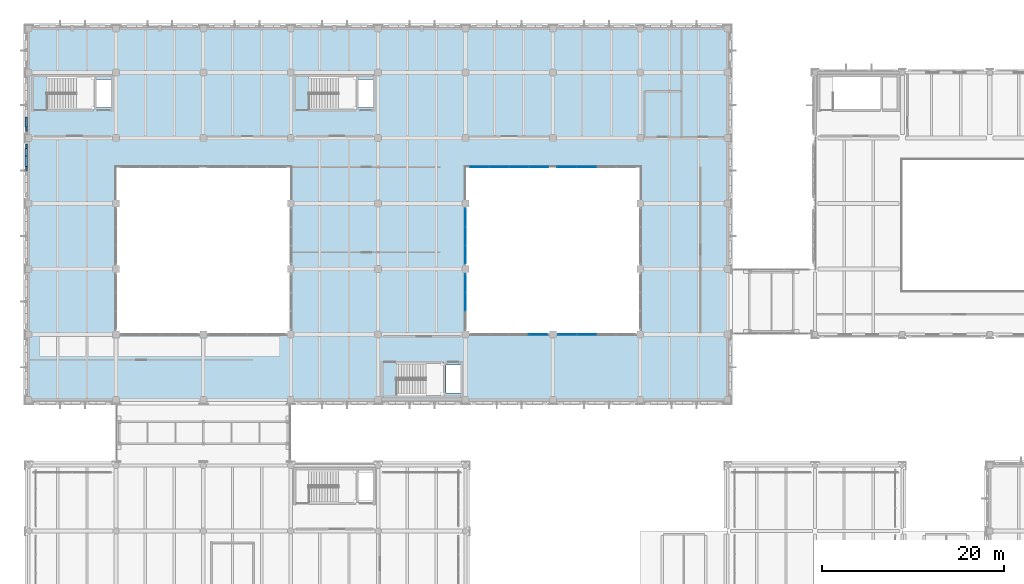
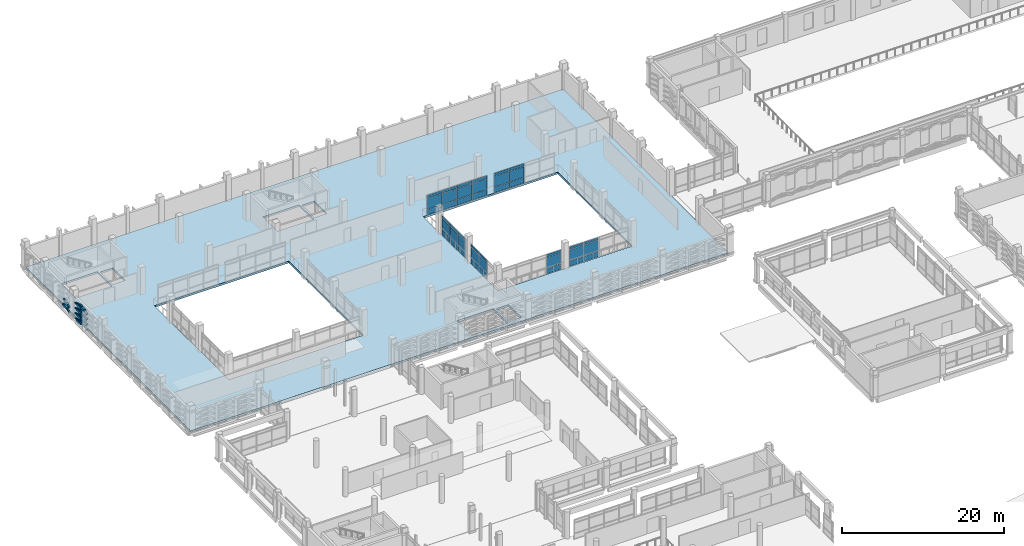
# One storey, part 134 of 180: 61 plates, 1 slab, 6 elements without a shape of their own.
"""IFC4 building model written with IfcOpenShell, lengths in metres."""

from ifc_helpers import new_model, si_unit, direction, frame, origin, origin_2d, place, context, subcontext, project, spatial, polyline, rectangle, hollow_rectangle, outline, extrude, material, layer, layer_set, material_profile, profile_set, type_object, element, aggregate, save


model = new_model("IFC4")

# Units and contexts
model_context = context("Model", 3, precision=1e-05, world=origin(), true_north=direction((0.0, 1.0)))
body_context = subcontext(model_context, "Body", "Model", "MODEL_VIEW")
ifc_project = project(units=[si_unit("LENGTHUNIT", "METRE"), si_unit("AREAUNIT", "SQUARE_METRE"), si_unit("VOLUMEUNIT", "CUBIC_METRE"), si_unit("PLANEANGLEUNIT", "RADIAN"), si_unit("MASSUNIT", "GRAM", prefix="KILO")], contexts=[model_context])

# Site, building, storey
site_placement = place(None, origin())
site = spatial("IfcSite", under=ifc_project, at=site_placement, CompositionType="ELEMENT")
building_placement = place(site_placement, origin())
building = spatial("IfcBuilding", under=site, at=building_placement, Name="Asteropetra Specialist Clinic", CompositionType="ELEMENT")
storey_placement = place(building_placement, frame((0.0, 0.0, 4.419921875)))
storey = spatial("IfcBuildingStorey", under=building, at=storey_placement, Name="L01", CompositionType="ELEMENT", Elevation=4.419921875)

# Plates
ifc_material_1 = material(Name="Chevron emerald aluminium 6063-T6", Category="aluminium")
ifc_material_profile = material_profile(ifc_material_1, hollow_rectangle(XDim=0.199951171875, YDim=0.199951171875, WallThickness=0.010009765625, InnerFilletRadius=0.008056640625, OuterFilletRadius=0.01611328125, at=origin_2d()), Name="SHS 200x200x10.0")
ifc_profile_set = profile_set([ifc_material_profile], Name="Chevron emerald aluminium 6063-T6")
plate_type_1 = type_object("IfcPlateType", Name="CHV-RIB-200", PredefinedType="SHEET", material=ifc_profile_set)
plate_1_placement = place(storey_placement, frame((-0.251953125, 97.68505859375, 0.050048828125), z_axis=(0.0, -0.952507040007, 0.304516565619), x_axis=(1.0, 0.0, 0.0)))
element("IfcPlate", 1, at=plate_1_placement, inside=storey, type_object=plate_type_1, Name="Chevron Facade Screen Fin CVR-0747", PredefinedType="SHEET", context=body_context, shape_type="SweptSolid", body=[
    extrude(hollow_rectangle(XDim=0.199951171875, YDim=0.199951171875, WallThickness=0.010009765625, InnerFilletRadius=0.008056640625, OuterFilletRadius=0.01611328125, at=origin_2d()), origin(), (0.0, 0.0, 1.0), 1.504150390625),
])
plate_2_placement = place(storey_placement, frame((-0.251953125, 96.25244140625, 0.508056640625), z_axis=(0.0, -0.952491984317, -0.304563654777), x_axis=(1.0, 0.0, 0.0)))
element("IfcPlate", 2, at=plate_2_placement, inside=storey, type_object=plate_type_1, Name="Chevron Facade Screen Fin CVR-0748", PredefinedType="SHEET", context=body_context, shape_type="SweptSolid", body=[
    extrude(hollow_rectangle(XDim=0.199951171875, YDim=0.199951171875, WallThickness=0.010009765625, InnerFilletRadius=0.008056640625, OuterFilletRadius=0.01611328125, at=origin_2d()), origin(), (0.0, 0.0, 1.0), 1.50390625),
])
plate_3_placement = place(storey_placement, frame((-0.251953125, 97.68505859375, 0.820068359375), z_axis=(0.0, -0.952507040007, 0.304516565619), x_axis=(1.0, 0.0, 0.0)))
element("IfcPlate", 3, at=plate_3_placement, inside=storey, type_object=plate_type_1, Name="Chevron Facade Screen Fin CVR-0749", PredefinedType="SHEET", context=body_context, shape_type="SweptSolid", body=[
    extrude(hollow_rectangle(XDim=0.199951171875, YDim=0.199951171875, WallThickness=0.010009765625, InnerFilletRadius=0.008056640625, OuterFilletRadius=0.01611328125, at=origin_2d()), origin(), (0.0, 0.0, 1.0), 1.504150390625),
])
plate_4_placement = place(storey_placement, frame((-0.251953125, 96.25244140625, 1.278076171875), z_axis=(0.0, -0.952491984317, -0.304563654777), x_axis=(1.0, 0.0, 0.0)))
element("IfcPlate", 4, at=plate_4_placement, inside=storey, type_object=plate_type_1, Name="Chevron Facade Screen Fin CVR-0750", PredefinedType="SHEET", context=body_context, shape_type="SweptSolid", body=[
    extrude(hollow_rectangle(XDim=0.199951171875, YDim=0.199951171875, WallThickness=0.010009765625, InnerFilletRadius=0.008056640625, OuterFilletRadius=0.01611328125, at=origin_2d()), origin(), (0.0, 0.0, 1.0), 1.50390625),
])
plate_5_placement = place(storey_placement, frame((-0.251953125, 97.68505859375, 1.6201171875), z_axis=(0.0, -0.952507040007, 0.304516565619), x_axis=(1.0, 0.0, 0.0)))
element("IfcPlate", 5, at=plate_5_placement, inside=storey, type_object=plate_type_1, Name="Chevron Facade Screen Fin CVR-0751", PredefinedType="SHEET", context=body_context, shape_type="SweptSolid", body=[
    extrude(hollow_rectangle(XDim=0.199951171875, YDim=0.199951171875, WallThickness=0.010009765625, InnerFilletRadius=0.008056640625, OuterFilletRadius=0.01611328125, at=origin_2d()), origin(), (0.0, 0.0, 1.0), 1.504150390625),
])
plate_6_placement = place(storey_placement, frame((-0.251953125, 96.25244140625, 2.078125), z_axis=(0.0, -0.952491984317, -0.304563654777), x_axis=(1.0, 0.0, 0.0)))
element("IfcPlate", 6, at=plate_6_placement, inside=storey, type_object=plate_type_1, Name="Chevron Facade Screen Fin CVR-0752", PredefinedType="SHEET", context=body_context, shape_type="SweptSolid", body=[
    extrude(hollow_rectangle(XDim=0.199951171875, YDim=0.199951171875, WallThickness=0.010009765625, InnerFilletRadius=0.008056640625, OuterFilletRadius=0.01611328125, at=origin_2d()), origin(), (0.0, 0.0, 1.0), 1.50390625),
])
plate_7_placement = place(storey_placement, frame((-0.251953125, 97.68505859375, 2.400146484375), z_axis=(0.0, -0.952507040007, 0.304516565619), x_axis=(1.0, 0.0, 0.0)))
element("IfcPlate", 7, at=plate_7_placement, inside=storey, type_object=plate_type_1, Name="Chevron Facade Screen Fin CVR-0753", PredefinedType="SHEET", context=body_context, shape_type="SweptSolid", body=[
    extrude(hollow_rectangle(XDim=0.199951171875, YDim=0.199951171875, WallThickness=0.010009765625, InnerFilletRadius=0.008056640625, OuterFilletRadius=0.01611328125, at=origin_2d()), origin(), (0.0, 0.0, 1.0), 1.504150390625),
])
plate_8_placement = place(storey_placement, frame((-0.251953125, 96.25244140625, 2.858154296875), z_axis=(0.0, -0.952491984317, -0.304563654777), x_axis=(1.0, 0.0, 0.0)))
element("IfcPlate", 8, at=plate_8_placement, inside=storey, type_object=plate_type_1, Name="Chevron Facade Screen Fin CVR-0754", PredefinedType="SHEET", context=body_context, shape_type="SweptSolid", body=[
    extrude(hollow_rectangle(XDim=0.199951171875, YDim=0.199951171875, WallThickness=0.010009765625, InnerFilletRadius=0.008056640625, OuterFilletRadius=0.01611328125, at=origin_2d()), origin(), (0.0, 0.0, 1.0), 1.50390625),
])
for number, where, z_axis, x_axis, name in (
    (9, (-0.251953125, 100.547607421875, 0.508056640625), (0.0, -0.952507040007, -0.304516565619), (1.0, 0.0, 0.0), "Chevron Facade Screen Fin CVR-0788"),
    (10, (-0.251953125, 100.547607421875, 1.278076171875), (0.0, -0.952507040007, -0.304516565619), (1.0, 0.0, 0.0), "Chevron Facade Screen Fin CVR-0790"),
):
    element("IfcPlate", number, at=place(storey_placement, frame(where, z_axis=z_axis, x_axis=x_axis)), inside=storey, type_object=plate_type_1, Name=name, PredefinedType="SHEET", context=body_context, shape_type="SweptSolid", body=[
        extrude(hollow_rectangle(XDim=0.199951171875, YDim=0.199951171875, WallThickness=0.010009765625, InnerFilletRadius=0.008056640625, OuterFilletRadius=0.01611328125, at=origin_2d()), origin(), (0.0, 0.0, 1.0), 1.504150390625),
    ])

# Curtain wall, plates
ifc_material_2 = material(Name="Aluminium and low-E glass", Category="aluminium")
ifc_layer_1 = layer(ifc_material_2, 0.14990234375)
ifc_layer_set_1 = layer_set([ifc_layer_1], Name="Aluminium and low-E glass")
curtain_wall_type_1 = type_object("IfcCurtainWallType", Name="CW-SYS-05", PredefinedType="USERDEFINED", material=ifc_layer_set_1)
curtain_wall_1_placement = place(storey_placement, origin())
curtain_wall_1 = element("IfcCurtainWall", 11, at=curtain_wall_1_placement, inside=storey, type_object=curtain_wall_type_1, Name="Curtain Wall CW-028", ObjectType="UNITISED CURTAIN WALL", PredefinedType="USERDEFINED")
ifc_material_3 = material(Name="Low-E double glazing", Category="glass")
ifc_layer_2 = layer(ifc_material_3, 0.028076171875)
ifc_layer_set_2 = layer_set([ifc_layer_2], Name="Low-E double glazing")
plate_type_2 = type_object("IfcPlateType", Name="CWP-GLZ-28", PredefinedType="CURTAIN_PANEL", material=ifc_layer_set_2)
plate_9_placement = place(storey_placement, frame((61.31005859375, 95.199951171875, 0.06494140625), z_axis=(0.0, 0.0, 1.0), x_axis=(-1.0, 0.0, 0.0)))
plate_9 = element("IfcPlate", 12, at=plate_9_placement, type_object=plate_type_2, Name="CW-028 panel 3.1", PredefinedType="CURTAIN_PANEL", context=body_context, shape_type="SweptSolid", body=[
    extrude(rectangle(XDim=2.114990234375, YDim=0.028076171875, at=origin_2d()), origin(), (0.0, 0.0, 1.0), 0.802490234375),
])
plate_10_placement = place(storey_placement, frame((61.31005859375, 95.199951171875, 0.9326171875), z_axis=(0.0, 0.0, 1.0), x_axis=(-1.0, 0.0, 0.0)))
plate_10 = element("IfcPlate", 13, at=plate_10_placement, type_object=plate_type_2, Name="CW-028 panel 3.2", PredefinedType="CURTAIN_PANEL", context=body_context, shape_type="SweptSolid", body=[
    extrude(rectangle(XDim=2.114990234375, YDim=0.028076171875, at=origin_2d()), origin(), (0.0, 0.0, 1.0), 1.614990234375),
])
plate_11_placement = place(storey_placement, frame((61.31005859375, 95.199951171875, 2.6123046875), z_axis=(0.0, 0.0, 1.0), x_axis=(-1.0, 0.0, 0.0)))
plate_11 = element("IfcPlate", 14, at=plate_11_placement, type_object=plate_type_2, Name="CW-028 panel 3.3", PredefinedType="CURTAIN_PANEL", context=body_context, shape_type="SweptSolid", body=[
    extrude(rectangle(XDim=2.114990234375, YDim=0.028076171875, at=origin_2d()), origin(), (0.0, 0.0, 1.0), 0.402587890625),
])
plate_12_placement = place(storey_placement, frame((59.146240234375, 95.199951171875, 0.06494140625), z_axis=(0.0, 0.0, 1.0), x_axis=(-1.0, 0.0, 0.0)))
plate_12 = element("IfcPlate", 15, at=plate_12_placement, type_object=plate_type_2, Name="CW-028 panel 4.1", PredefinedType="CURTAIN_PANEL", context=body_context, shape_type="SweptSolid", body=[
    extrude(rectangle(XDim=2.08251953125, YDim=0.028076171875, at=origin_2d()), origin(), (0.0, 0.0, 1.0), 0.802490234375),
])
plate_13_placement = place(storey_placement, frame((59.146240234375, 95.199951171875, 0.9326171875), z_axis=(0.0, 0.0, 1.0), x_axis=(-1.0, 0.0, 0.0)))
plate_13 = element("IfcPlate", 16, at=plate_13_placement, type_object=plate_type_2, Name="CW-028 panel 4.2", PredefinedType="CURTAIN_PANEL", context=body_context, shape_type="SweptSolid", body=[
    extrude(rectangle(XDim=2.08251953125, YDim=0.028076171875, at=origin_2d()), origin(), (0.0, 0.0, 1.0), 1.614990234375),
])
plate_14_placement = place(storey_placement, frame((59.146240234375, 95.199951171875, 2.6123046875), z_axis=(0.0, 0.0, 1.0), x_axis=(-1.0, 0.0, 0.0)))
plate_14 = element("IfcPlate", 17, at=plate_14_placement, type_object=plate_type_2, Name="CW-028 panel 4.3", PredefinedType="CURTAIN_PANEL", context=body_context, shape_type="SweptSolid", body=[
    extrude(rectangle(XDim=2.08251953125, YDim=0.028076171875, at=origin_2d()), origin(), (0.0, 0.0, 1.0), 0.402587890625),
])
aggregate(curtain_wall_1, [plate_9, plate_10, plate_11, plate_12, plate_13, plate_14])

ifc_material_4 = material(Name="Aluminium and low-E glass", Category="aluminium")
ifc_layer_3 = layer(ifc_material_4, 0.135009765625)
ifc_layer_set_3 = layer_set([ifc_layer_3], Name="Aluminium and low-E glass")
curtain_wall_type_2 = type_object("IfcCurtainWallType", Name="CW-SYS-03", PredefinedType="USERDEFINED", material=ifc_layer_set_3)
curtain_wall_2_placement = place(storey_placement, origin())
curtain_wall_2 = element("IfcCurtainWall", 18, at=curtain_wall_2_placement, inside=storey, type_object=curtain_wall_type_2, Name="Curtain Wall CW-025", ObjectType="UNITISED CURTAIN WALL", PredefinedType="USERDEFINED")
ifc_material_5 = material(Name="Low-E acoustic double glazing", Category="glass")
ifc_layer_4 = layer(ifc_material_5, 0.031982421875)
ifc_layer_set_4 = layer_set([ifc_layer_4], Name="Low-E acoustic double glazing")
plate_type_3 = type_object("IfcPlateType", Name="CWP-GLZ-32", PredefinedType="CURTAIN_PANEL", material=ifc_layer_set_4)
plate_15_placement = place(storey_placement, frame((55.982421875, 76.800048828125, 0.06494140625), z_axis=(0.0, 0.0, 1.0), x_axis=(1.0, 0.0, 0.0)))
plate_15 = element("IfcPlate", 19, at=plate_15_placement, type_object=plate_type_3, Name="CW-025 panel 4.1", PredefinedType="CURTAIN_PANEL", context=body_context, shape_type="SweptSolid", body=[
    extrude(rectangle(XDim=2.034912109375, YDim=0.031982421875, at=origin_2d()), origin(), (0.0, 0.0, 1.0), 0.802490234375),
])
plate_16_placement = place(storey_placement, frame((55.982421875, 76.800048828125, 0.9326171875), z_axis=(0.0, 0.0, 1.0), x_axis=(1.0, 0.0, 0.0)))
plate_16 = element("IfcPlate", 20, at=plate_16_placement, type_object=plate_type_3, Name="CW-025 panel 4.2", PredefinedType="CURTAIN_PANEL", context=body_context, shape_type="SweptSolid", body=[
    extrude(rectangle(XDim=2.034912109375, YDim=0.031982421875, at=origin_2d()), origin(), (0.0, 0.0, 1.0), 1.614990234375),
])
plate_17_placement = place(storey_placement, frame((55.982421875, 76.800048828125, 2.6123046875), z_axis=(0.0, 0.0, 1.0), x_axis=(1.0, 0.0, 0.0)))
plate_17 = element("IfcPlate", 21, at=plate_17_placement, type_object=plate_type_3, Name="CW-025 panel 4.3", PredefinedType="CURTAIN_PANEL", context=body_context, shape_type="SweptSolid", body=[
    extrude(rectangle(XDim=2.034912109375, YDim=0.031982421875, at=origin_2d()), origin(), (0.0, 0.0, 1.0), 0.402587890625),
])
aggregate(curtain_wall_2, [plate_15, plate_16, plate_17])

curtain_wall_3_placement = place(storey_placement, origin())
curtain_wall_3 = element("IfcCurtainWall", 22, at=curtain_wall_3_placement, inside=storey, type_object=curtain_wall_type_1, Name="Curtain Wall CW-029", ObjectType="UNITISED CURTAIN WALL", PredefinedType="USERDEFINED")
plate_18_placement = place(storey_placement, frame((48.0, 82.42822265625, 0.06005859375), z_axis=(0.0, 0.0, 1.0), x_axis=(0.0, -1.0, 0.0)))
plate_18 = element("IfcPlate", 23, at=plate_18_placement, type_object=plate_type_3, Name="CW-029 panel 1.1", PredefinedType="CURTAIN_PANEL", context=body_context, shape_type="SweptSolid", body=[
    extrude(rectangle(XDim=1.953369140625, YDim=0.031982421875, at=origin_2d()), origin(), (0.0, 0.0, 1.0), 0.81005859375),
])
plate_19_placement = place(storey_placement, frame((48.0, 82.42822265625, 0.93017578125), z_axis=(0.0, 0.0, 1.0), x_axis=(0.0, -1.0, 0.0)))
plate_19 = element("IfcPlate", 24, at=plate_19_placement, type_object=plate_type_3, Name="CW-029 panel 1.2", PredefinedType="CURTAIN_PANEL", context=body_context, shape_type="SweptSolid", body=[
    extrude(rectangle(XDim=1.953369140625, YDim=0.031982421875, at=origin_2d()), origin(), (0.0, 0.0, 1.0), 1.590087890625),
])
plate_20_placement = place(storey_placement, frame((48.0, 82.42822265625, 2.580078125), z_axis=(0.0, 0.0, 1.0), x_axis=(0.0, -1.0, 0.0)))
plate_20 = element("IfcPlate", 25, at=plate_20_placement, type_object=plate_type_3, Name="CW-029 panel 1.3", PredefinedType="CURTAIN_PANEL", context=body_context, shape_type="SweptSolid", body=[
    extrude(rectangle(XDim=1.953369140625, YDim=0.031982421875, at=origin_2d()), origin(), (0.0, 0.0, 1.0), 0.409912109375),
])
plate_21_placement = place(storey_placement, frame((48.0, 80.39990234375, 0.06005859375), z_axis=(0.0, 0.0, 1.0), x_axis=(0.0, -1.0, 0.0)))
plate_21 = element("IfcPlate", 26, at=plate_21_placement, type_object=plate_type_3, Name="CW-029 panel 2.1", PredefinedType="CURTAIN_PANEL", context=body_context, shape_type="SweptSolid", body=[
    extrude(rectangle(XDim=1.9833984375, YDim=0.031982421875, at=origin_2d()), origin(), (0.0, 0.0, 1.0), 0.81005859375),
])
plate_22_placement = place(storey_placement, frame((48.0, 80.39990234375, 0.93017578125), z_axis=(0.0, 0.0, 1.0), x_axis=(0.0, -1.0, 0.0)))
plate_22 = element("IfcPlate", 27, at=plate_22_placement, type_object=plate_type_3, Name="CW-029 panel 2.2", PredefinedType="CURTAIN_PANEL", context=body_context, shape_type="SweptSolid", body=[
    extrude(rectangle(XDim=1.9833984375, YDim=0.031982421875, at=origin_2d()), origin(), (0.0, 0.0, 1.0), 1.590087890625),
])
plate_23_placement = place(storey_placement, frame((48.0, 80.39990234375, 2.580078125), z_axis=(0.0, 0.0, 1.0), x_axis=(0.0, -1.0, 0.0)))
plate_23 = element("IfcPlate", 28, at=plate_23_placement, type_object=plate_type_3, Name="CW-029 panel 2.3", PredefinedType="CURTAIN_PANEL", context=body_context, shape_type="SweptSolid", body=[
    extrude(rectangle(XDim=1.9833984375, YDim=0.031982421875, at=origin_2d()), origin(), (0.0, 0.0, 1.0), 0.409912109375),
])
aggregate(curtain_wall_3, [plate_18, plate_19, plate_20, plate_21, plate_22, plate_23])

ifc_material_6 = material(Name="Aluminium and low-E glass", Category="aluminium")
ifc_layer_5 = layer(ifc_material_6, 0.179931640625)
ifc_layer_set_5 = layer_set([ifc_layer_5], Name="Aluminium and low-E glass")
curtain_wall_type_3 = type_object("IfcCurtainWallType", Name="CW-SYS-04", PredefinedType="USERDEFINED", material=ifc_layer_set_5)
curtain_wall_4_placement = place(storey_placement, origin())
curtain_wall_4 = element("IfcCurtainWall", 29, at=curtain_wall_4_placement, inside=storey, type_object=curtain_wall_type_3, Name="Curtain Wall CW-026", ObjectType="UNITISED CURTAIN WALL", PredefinedType="USERDEFINED")
ifc_material_7 = material(Name="Solar-control triple glazing", Category="glass")
ifc_layer_6 = layer(ifc_material_7, 0.035888671875)
ifc_layer_set_6 = layer_set([ifc_layer_6], Name="Solar-control triple glazing")
plate_type_4 = type_object("IfcPlateType", Name="CWP-GLZ-36", PredefinedType="CURTAIN_PANEL", material=ifc_layer_set_6)
plate_24_placement = place(storey_placement, frame((56.054931640625, 95.199951171875, 0.06005859375), z_axis=(0.0, 0.0, 1.0), x_axis=(-1.0, 0.0, 0.0)))
plate_24 = element("IfcPlate", 30, at=plate_24_placement, type_object=plate_type_4, Name="CW-026 panel 1.1", PredefinedType="CURTAIN_PANEL", context=body_context, shape_type="SweptSolid", body=[
    extrude(rectangle(XDim=2.090087890625, YDim=0.035888671875, at=origin_2d()), origin(), (0.0, 0.0, 1.0), 0.81005859375),
])
plate_25_placement = place(storey_placement, frame((56.054931640625, 95.199951171875, 0.929931640625), z_axis=(0.0, 0.0, 1.0), x_axis=(-1.0, 0.0, 0.0)))
plate_25 = element("IfcPlate", 31, at=plate_25_placement, type_object=plate_type_4, Name="CW-026 panel 1.2", PredefinedType="CURTAIN_PANEL", context=body_context, shape_type="SweptSolid", body=[
    extrude(rectangle(XDim=2.090087890625, YDim=0.035888671875, at=origin_2d()), origin(), (0.0, 0.0, 1.0), 1.6201171875),
])
plate_26_placement = place(storey_placement, frame((56.054931640625, 95.199951171875, 2.6103515625), z_axis=(0.0, 0.0, 1.0), x_axis=(-1.0, 0.0, 0.0)))
plate_26 = element("IfcPlate", 32, at=plate_26_placement, type_object=plate_type_4, Name="CW-026 panel 1.3", PredefinedType="CURTAIN_PANEL", context=body_context, shape_type="SweptSolid", body=[
    extrude(rectangle(XDim=2.090087890625, YDim=0.035888671875, at=origin_2d()), origin(), (0.0, 0.0, 1.0), 0.409912109375),
])
plate_27_placement = place(storey_placement, frame((53.889892578125, 95.199951171875, 0.06005859375), z_axis=(0.0, 0.0, 1.0), x_axis=(-1.0, 0.0, 0.0)))
plate_27 = element("IfcPlate", 33, at=plate_27_placement, type_object=plate_type_4, Name="CW-026 panel 2.1", PredefinedType="CURTAIN_PANEL", context=body_context, shape_type="SweptSolid", body=[
    extrude(rectangle(XDim=2.1201171875, YDim=0.035888671875, at=origin_2d()), origin(), (0.0, 0.0, 1.0), 0.81005859375),
])
plate_28_placement = place(storey_placement, frame((53.889892578125, 95.199951171875, 0.929931640625), z_axis=(0.0, 0.0, 1.0), x_axis=(-1.0, 0.0, 0.0)))
plate_28 = element("IfcPlate", 34, at=plate_28_placement, type_object=plate_type_4, Name="CW-026 panel 2.2", PredefinedType="CURTAIN_PANEL", context=body_context, shape_type="SweptSolid", body=[
    extrude(rectangle(XDim=2.1201171875, YDim=0.035888671875, at=origin_2d()), origin(), (0.0, 0.0, 1.0), 1.6201171875),
])
plate_29_placement = place(storey_placement, frame((53.889892578125, 95.199951171875, 2.6103515625), z_axis=(0.0, 0.0, 1.0), x_axis=(-1.0, 0.0, 0.0)))
plate_29 = element("IfcPlate", 35, at=plate_29_placement, type_object=plate_type_4, Name="CW-026 panel 2.3", PredefinedType="CURTAIN_PANEL", context=body_context, shape_type="SweptSolid", body=[
    extrude(rectangle(XDim=2.1201171875, YDim=0.035888671875, at=origin_2d()), origin(), (0.0, 0.0, 1.0), 0.409912109375),
])
plate_30_placement = place(storey_placement, frame((51.7099609375, 95.199951171875, 0.06005859375), z_axis=(0.0, 0.0, 1.0), x_axis=(-1.0, 0.0, 0.0)))
plate_30 = element("IfcPlate", 36, at=plate_30_placement, type_object=plate_type_4, Name="CW-026 panel 3.1", PredefinedType="CURTAIN_PANEL", context=body_context, shape_type="SweptSolid", body=[
    extrude(rectangle(XDim=2.1201171875, YDim=0.035888671875, at=origin_2d()), origin(), (0.0, 0.0, 1.0), 0.81005859375),
])
plate_31_placement = place(storey_placement, frame((51.7099609375, 95.199951171875, 0.929931640625), z_axis=(0.0, 0.0, 1.0), x_axis=(-1.0, 0.0, 0.0)))
plate_31 = element("IfcPlate", 37, at=plate_31_placement, type_object=plate_type_4, Name="CW-026 panel 3.2", PredefinedType="CURTAIN_PANEL", context=body_context, shape_type="SweptSolid", body=[
    extrude(rectangle(XDim=2.1201171875, YDim=0.035888671875, at=origin_2d()), origin(), (0.0, 0.0, 1.0), 1.6201171875),
])
plate_32_placement = place(storey_placement, frame((51.7099609375, 95.199951171875, 2.6103515625), z_axis=(0.0, 0.0, 1.0), x_axis=(-1.0, 0.0, 0.0)))
plate_32 = element("IfcPlate", 38, at=plate_32_placement, type_object=plate_type_4, Name="CW-026 panel 3.3", PredefinedType="CURTAIN_PANEL", context=body_context, shape_type="SweptSolid", body=[
    extrude(rectangle(XDim=2.1201171875, YDim=0.035888671875, at=origin_2d()), origin(), (0.0, 0.0, 1.0), 0.409912109375),
])
plate_33_placement = place(storey_placement, frame((49.544921875, 95.199951171875, 0.06005859375), z_axis=(0.0, 0.0, 1.0), x_axis=(-1.0, 0.0, 0.0)))
plate_33 = element("IfcPlate", 39, at=plate_33_placement, type_object=plate_type_4, Name="CW-026 panel 4.1", PredefinedType="CURTAIN_PANEL", context=body_context, shape_type="SweptSolid", body=[
    extrude(rectangle(XDim=2.090087890625, YDim=0.035888671875, at=origin_2d()), origin(), (0.0, 0.0, 1.0), 0.81005859375),
])
plate_34_placement = place(storey_placement, frame((49.544921875, 95.199951171875, 0.929931640625), z_axis=(0.0, 0.0, 1.0), x_axis=(-1.0, 0.0, 0.0)))
plate_34 = element("IfcPlate", 40, at=plate_34_placement, type_object=plate_type_4, Name="CW-026 panel 4.2", PredefinedType="CURTAIN_PANEL", context=body_context, shape_type="SweptSolid", body=[
    extrude(rectangle(XDim=2.090087890625, YDim=0.035888671875, at=origin_2d()), origin(), (0.0, 0.0, 1.0), 1.6201171875),
])
plate_35_placement = place(storey_placement, frame((49.544921875, 95.199951171875, 2.6103515625), z_axis=(0.0, 0.0, 1.0), x_axis=(-1.0, 0.0, 0.0)))
plate_35 = element("IfcPlate", 41, at=plate_35_placement, type_object=plate_type_4, Name="CW-026 panel 4.3", PredefinedType="CURTAIN_PANEL", context=body_context, shape_type="SweptSolid", body=[
    extrude(rectangle(XDim=2.090087890625, YDim=0.035888671875, at=origin_2d()), origin(), (0.0, 0.0, 1.0), 0.409912109375),
])
aggregate(curtain_wall_4, [plate_24, plate_25, plate_26, plate_27, plate_28, plate_29, plate_30, plate_31, plate_32, plate_33, plate_34, plate_35])

curtain_wall_5_placement = place(storey_placement, origin())
curtain_wall_5 = element("IfcCurtainWall", 42, at=curtain_wall_5_placement, inside=storey, type_object=curtain_wall_type_3, Name="Curtain Wall CW-027", ObjectType="UNITISED CURTAIN WALL", PredefinedType="USERDEFINED")
ifc_material_8 = material(Name="Laminated skylight glazing", Category="glass")
ifc_layer_7 = layer(ifc_material_8, 0.0400390625)
ifc_layer_set_7 = layer_set([ifc_layer_7], Name="Laminated skylight glazing")
plate_type_5 = type_object("IfcPlateType", Name="CWP-GLZ-40", PredefinedType="CURTAIN_PANEL", material=ifc_layer_set_7)
plate_36_placement = place(storey_placement, frame((59.219970703125, 76.800048828125, 0.074951171875), z_axis=(0.0, 0.0, 1.0), x_axis=(1.0, 0.0, 0.0)))
plate_36 = element("IfcPlate", 43, at=plate_36_placement, type_object=plate_type_5, Name="CW-027 panel 1.1", PredefinedType="CURTAIN_PANEL", context=body_context, shape_type="SweptSolid", body=[
    extrude(rectangle(XDim=2.02001953125, YDim=0.0400390625, at=origin_2d()), origin(), (0.0, 0.0, 1.0), 0.78759765625),
])
plate_37_placement = place(storey_placement, frame((59.219970703125, 76.800048828125, 0.9375), z_axis=(0.0, 0.0, 1.0), x_axis=(1.0, 0.0, 0.0)))
plate_37 = element("IfcPlate", 44, at=plate_37_placement, type_object=plate_type_5, Name="CW-027 panel 1.2", PredefinedType="CURTAIN_PANEL", context=body_context, shape_type="SweptSolid", body=[
    extrude(rectangle(XDim=2.02001953125, YDim=0.0400390625, at=origin_2d()), origin(), (0.0, 0.0, 1.0), 1.60498046875),
])
plate_38_placement = place(storey_placement, frame((59.219970703125, 76.800048828125, 2.61767578125), z_axis=(0.0, 0.0, 1.0), x_axis=(1.0, 0.0, 0.0)))
plate_38 = element("IfcPlate", 45, at=plate_38_placement, type_object=plate_type_5, Name="CW-027 panel 1.3", PredefinedType="CURTAIN_PANEL", context=body_context, shape_type="SweptSolid", body=[
    extrude(rectangle(XDim=2.02001953125, YDim=0.0400390625, at=origin_2d()), origin(), (0.0, 0.0, 1.0), 0.387451171875),
])
plate_39_placement = place(storey_placement, frame((61.333740234375, 76.800048828125, 0.074951171875), z_axis=(0.0, 0.0, 1.0), x_axis=(1.0, 0.0, 0.0)))
plate_39 = element("IfcPlate", 46, at=plate_39_placement, type_object=plate_type_5, Name="CW-027 panel 2.1", PredefinedType="CURTAIN_PANEL", context=body_context, shape_type="SweptSolid", body=[
    extrude(rectangle(XDim=2.0576171875, YDim=0.0400390625, at=origin_2d()), origin(), (0.0, 0.0, 1.0), 0.78759765625),
])
plate_40_placement = place(storey_placement, frame((61.333740234375, 76.800048828125, 0.9375), z_axis=(0.0, 0.0, 1.0), x_axis=(1.0, 0.0, 0.0)))
plate_40 = element("IfcPlate", 47, at=plate_40_placement, type_object=plate_type_5, Name="CW-027 panel 2.2", PredefinedType="CURTAIN_PANEL", context=body_context, shape_type="SweptSolid", body=[
    extrude(rectangle(XDim=2.0576171875, YDim=0.0400390625, at=origin_2d()), origin(), (0.0, 0.0, 1.0), 1.60498046875),
])
plate_41_placement = place(storey_placement, frame((61.333740234375, 76.800048828125, 2.61767578125), z_axis=(0.0, 0.0, 1.0), x_axis=(1.0, 0.0, 0.0)))
plate_41 = element("IfcPlate", 48, at=plate_41_placement, type_object=plate_type_5, Name="CW-027 panel 2.3", PredefinedType="CURTAIN_PANEL", context=body_context, shape_type="SweptSolid", body=[
    extrude(rectangle(XDim=2.0576171875, YDim=0.0400390625, at=origin_2d()), origin(), (0.0, 0.0, 1.0), 0.387451171875),
])
aggregate(curtain_wall_5, [plate_36, plate_37, plate_38, plate_39, plate_40, plate_41])

ifc_material_9 = material(Name="Aluminium and low-E glass", Category="aluminium")
ifc_layer_8 = layer(ifc_material_9, 0.135009765625)
ifc_layer_set_8 = layer_set([ifc_layer_8], Name="Aluminium and low-E glass")
curtain_wall_type_4 = type_object("IfcCurtainWallType", Name="CW-SYS-06", PredefinedType="USERDEFINED", material=ifc_layer_set_8)
curtain_wall_6_placement = place(storey_placement, origin())
curtain_wall_6 = element("IfcCurtainWall", 49, at=curtain_wall_6_placement, inside=storey, type_object=curtain_wall_type_4, Name="Curtain Wall CW-031", ObjectType="UNITISED CURTAIN WALL", PredefinedType="USERDEFINED")
plate_42_placement = place(storey_placement, frame((48.0, 89.627197265625, 0.06494140625), z_axis=(0.0, 0.0, 1.0), x_axis=(0.0, -1.0, 0.0)))
plate_42 = element("IfcPlate", 50, at=plate_42_placement, type_object=plate_type_5, Name="CW-031 panel 1.1", PredefinedType="CURTAIN_PANEL", context=body_context, shape_type="SweptSolid", body=[
    extrude(rectangle(XDim=1.94580078125, YDim=0.0400390625, at=origin_2d()), origin(), (0.0, 0.0, 1.0), 0.802490234375),
])
plate_43_placement = place(storey_placement, frame((48.0, 89.627197265625, 0.9326171875), z_axis=(0.0, 0.0, 1.0), x_axis=(0.0, -1.0, 0.0)))
plate_43 = element("IfcPlate", 51, at=plate_43_placement, type_object=plate_type_5, Name="CW-031 panel 1.2", PredefinedType="CURTAIN_PANEL", context=body_context, shape_type="SweptSolid", body=[
    extrude(rectangle(XDim=1.94580078125, YDim=0.0400390625, at=origin_2d()), origin(), (0.0, 0.0, 1.0), 1.5849609375),
])
plate_44_placement = place(storey_placement, frame((48.0, 89.627197265625, 2.58251953125), z_axis=(0.0, 0.0, 1.0), x_axis=(0.0, -1.0, 0.0)))
plate_44 = element("IfcPlate", 52, at=plate_44_placement, type_object=plate_type_5, Name="CW-031 panel 1.3", PredefinedType="CURTAIN_PANEL", context=body_context, shape_type="SweptSolid", body=[
    extrude(rectangle(XDim=1.94580078125, YDim=0.0400390625, at=origin_2d()), origin(), (0.0, 0.0, 1.0), 0.402587890625),
])
plate_45_placement = place(storey_placement, frame((48.0, 87.60009765625, 0.06494140625), z_axis=(0.0, 0.0, 1.0), x_axis=(0.0, -1.0, 0.0)))
plate_45 = element("IfcPlate", 53, at=plate_45_placement, type_object=plate_type_5, Name="CW-031 panel 2.1", PredefinedType="CURTAIN_PANEL", context=body_context, shape_type="SweptSolid", body=[
    extrude(rectangle(XDim=1.978271484375, YDim=0.0400390625, at=origin_2d()), origin(), (0.0, 0.0, 1.0), 0.802490234375),
])
plate_46_placement = place(storey_placement, frame((48.0, 87.60009765625, 0.9326171875), z_axis=(0.0, 0.0, 1.0), x_axis=(0.0, -1.0, 0.0)))
plate_46 = element("IfcPlate", 54, at=plate_46_placement, type_object=plate_type_5, Name="CW-031 panel 2.2", PredefinedType="CURTAIN_PANEL", context=body_context, shape_type="SweptSolid", body=[
    extrude(rectangle(XDim=1.978271484375, YDim=0.0400390625, at=origin_2d()), origin(), (0.0, 0.0, 1.0), 1.5849609375),
])
plate_47_placement = place(storey_placement, frame((48.0, 87.60009765625, 2.58251953125), z_axis=(0.0, 0.0, 1.0), x_axis=(0.0, -1.0, 0.0)))
plate_47 = element("IfcPlate", 55, at=plate_47_placement, type_object=plate_type_5, Name="CW-031 panel 2.3", PredefinedType="CURTAIN_PANEL", context=body_context, shape_type="SweptSolid", body=[
    extrude(rectangle(XDim=1.978271484375, YDim=0.0400390625, at=origin_2d()), origin(), (0.0, 0.0, 1.0), 0.402587890625),
])
plate_48_placement = place(storey_placement, frame((48.0, 85.572998046875, 0.06494140625), z_axis=(0.0, 0.0, 1.0), x_axis=(0.0, -1.0, 0.0)))
plate_48 = element("IfcPlate", 56, at=plate_48_placement, type_object=plate_type_5, Name="CW-031 panel 3.1", PredefinedType="CURTAIN_PANEL", context=body_context, shape_type="SweptSolid", body=[
    extrude(rectangle(XDim=1.94580078125, YDim=0.0400390625, at=origin_2d()), origin(), (0.0, 0.0, 1.0), 0.802490234375),
])
plate_49_placement = place(storey_placement, frame((48.0, 85.572998046875, 0.9326171875), z_axis=(0.0, 0.0, 1.0), x_axis=(0.0, -1.0, 0.0)))
plate_49 = element("IfcPlate", 57, at=plate_49_placement, type_object=plate_type_5, Name="CW-031 panel 3.2", PredefinedType="CURTAIN_PANEL", context=body_context, shape_type="SweptSolid", body=[
    extrude(rectangle(XDim=1.94580078125, YDim=0.0400390625, at=origin_2d()), origin(), (0.0, 0.0, 1.0), 1.5849609375),
])
plate_50_placement = place(storey_placement, frame((48.0, 85.572998046875, 2.58251953125), z_axis=(0.0, 0.0, 1.0), x_axis=(0.0, -1.0, 0.0)))
plate_50 = element("IfcPlate", 58, at=plate_50_placement, type_object=plate_type_5, Name="CW-031 panel 3.3", PredefinedType="CURTAIN_PANEL", context=body_context, shape_type="SweptSolid", body=[
    extrude(rectangle(XDim=1.94580078125, YDim=0.0400390625, at=origin_2d()), origin(), (0.0, 0.0, 1.0), 0.402587890625),
])
aggregate(curtain_wall_6, [plate_42, plate_43, plate_44, plate_45, plate_46, plate_47, plate_48, plate_49, plate_50])

# Plates
ifc_material_10 = material(Name="Aluminium 6063-T6", Category="aluminium")
ifc_layer_9 = layer(ifc_material_10, 0.139892578125)
ifc_layer_set_9 = layer_set([ifc_layer_9], Name="Aluminium 6063-T6")
plate_type_6 = type_object("IfcPlateType", Name="PLT-CHV-TILE", PredefinedType="SHEET", material=ifc_layer_set_9)
for number, where, z_axis, x_axis, name in (
    (59, (-0.2900390625, 96.653564453125, 0.03759765625), (0.0, 0.0, 1.0), (1.0, 0.0, 0.0), "Chevron Ceramic Panel CPT-0385"),
    (60, (-0.2900390625, 95.851318359375, 0.21142578125), (0.0, 0.0, 1.0), (1.0, 0.0, 0.0), "Chevron Ceramic Panel CPT-0386"),
    (61, (-0.2900390625, 96.653564453125, 0.8076171875), (0.0, 0.0, 1.0), (1.0, 0.0, 0.0), "Chevron Ceramic Panel CPT-0387"),
    (62, (-0.2900390625, 95.851318359375, 0.9814453125), (0.0, 0.0, 1.0), (1.0, 0.0, 0.0), "Chevron Ceramic Panel CPT-0388"),
    (63, (-0.2900390625, 96.653564453125, 1.607421875), (0.0, 0.0, 1.0), (1.0, 0.0, 0.0), "Chevron Ceramic Panel CPT-0389"),
    (64, (-0.2900390625, 95.851318359375, 1.78125), (0.0, 0.0, 1.0), (1.0, 0.0, 0.0), "Chevron Ceramic Panel CPT-0390"),
    (65, (-0.2900390625, 96.653564453125, 2.3876953125), (0.0, 0.0, 1.0), (1.0, 0.0, 0.0), "Chevron Ceramic Panel CPT-0391"),
    (66, (-0.2900390625, 95.851318359375, 2.5615234375), (0.0, 0.0, 1.0), (1.0, 0.0, 0.0), "Chevron Ceramic Panel CPT-0392"),
    (67, (-0.2900390625, 100.146484375, 0.21142578125), (0.0, 0.0, 1.0), (1.0, 0.0, 0.0), "Chevron Ceramic Panel CPT-0426"),
):
    element("IfcPlate", number, at=place(storey_placement, frame(where, z_axis=z_axis, x_axis=x_axis)), inside=storey, type_object=plate_type_6, Name=name, PredefinedType="SHEET", context=body_context, shape_type="SweptSolid", body=[
        extrude(rectangle(XDim=0.280029296875, YDim=1.14599609375, at=origin_2d()), origin(), (0.0, 0.0, 1.0), 0.300048828125),
    ])

# Slab
ifc_material_11 = material(Name="Concrete C35/45", Category="concrete")
ifc_layer_10 = layer(ifc_material_11, 0.280029296875)
ifc_layer_set_10 = layer_set([ifc_layer_10], Name="Concrete C35/45")
slab_type = type_object("IfcSlabType", Name="SLB-FLR-280", PredefinedType="FLOOR", material=ifc_layer_set_10)
slab_placement = place(storey_placement, frame((0.0, 0.0, -0.280029296875)))
element("IfcSlab", 68, at=slab_placement, inside=storey, type_object=slab_type, Name="Slab V4 L01", PredefinedType="FLOOR", context=body_context, shape_type="SweptSolid", body=[
    extrude(outline(polyline([(0.0, 69.60009765625), (76.800048828125, 69.60009765625), (76.800048828125, 110.39990234375), (0.0, 110.39990234375), (0.0, 69.60009765625)]), holes=[polyline([(9.60009765625, 76.800048828125), (28.800048828125, 76.800048828125), (28.800048828125, 95.199951171875), (9.60009765625, 95.199951171875), (9.60009765625, 76.800048828125)]), polyline([(48.0, 76.800048828125), (67.199951171875, 76.800048828125), (67.199951171875, 95.199951171875), (48.0, 95.199951171875), (48.0, 76.800048828125)]), polyline([(2.0, 101.5), (7.179931640625, 101.5), (7.179931640625, 105.080078125), (2.0, 105.080078125), (2.0, 101.5)]), polyline([(7.449951171875, 101.75), (9.199951171875, 101.75), (9.199951171875, 104.830078125), (7.449951171875, 104.830078125), (7.449951171875, 101.75)]), polyline([(30.800048828125, 101.5), (35.97998046875, 101.5), (35.97998046875, 105.080078125), (30.800048828125, 105.080078125), (30.800048828125, 101.5)]), polyline([(36.25, 101.75), (38.0, 101.75), (38.0, 104.830078125), (36.25, 104.830078125), (36.25, 101.75)]), polyline([(40.39990234375, 70.1201171875), (45.580078125, 70.1201171875), (45.580078125, 73.699951171875), (40.39990234375, 73.699951171875), (40.39990234375, 70.1201171875)]), polyline([(45.85009765625, 70.3701171875), (47.60009765625, 70.3701171875), (47.60009765625, 73.449951171875), (45.85009765625, 73.449951171875), (45.85009765625, 70.3701171875)])]), origin(), (0.0, 0.0, 1.0), 0.280029296875),
])

save(model, "model.ifc")
